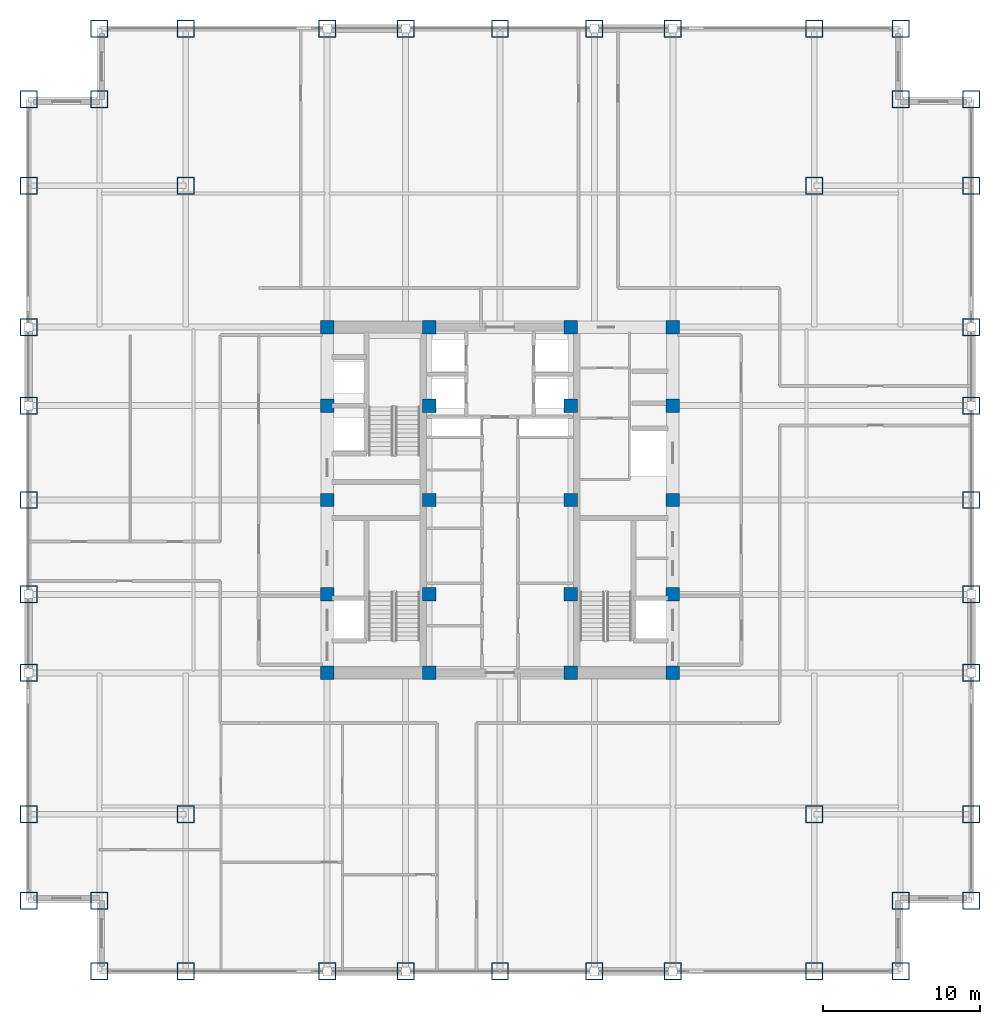
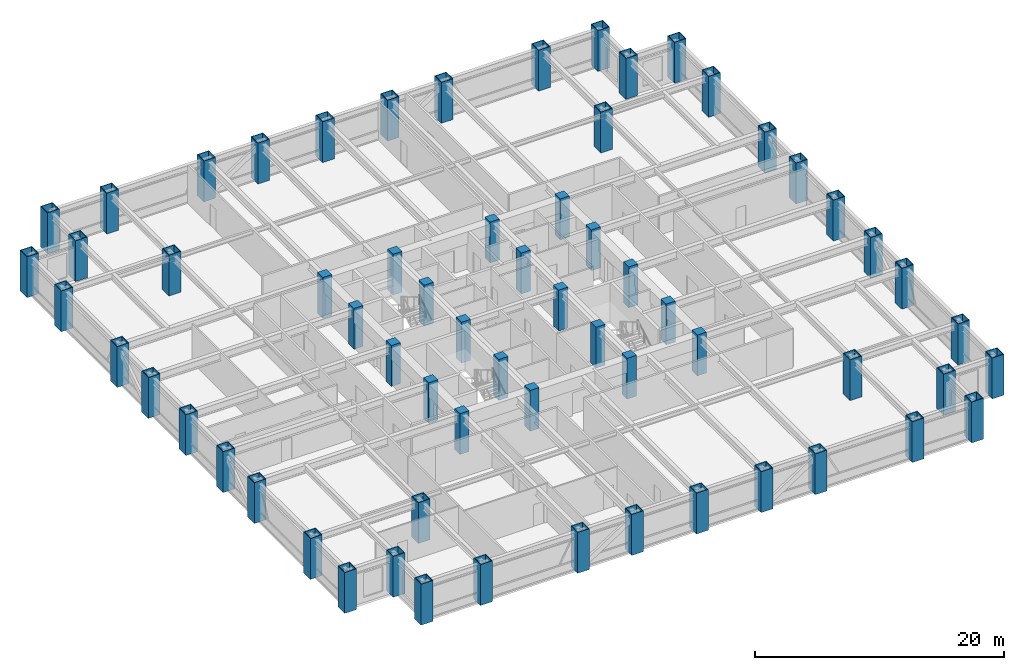
# One storey, part 1 of 24: 64 columns.
"""IFC4 building model written with IfcOpenShell, lengths in metres."""

from ifc_helpers import new_model, si_unit, direction, frame, origin, origin_2d, place, context, subcontext, project, spatial, rectangle, hollow_rectangle, extrude, source, transform, mapped, material, material_profile, profile_set, type_object, element, save


model = new_model("IFC4")

# Units and contexts
model_context = context("Model", 3, precision=1e-05, world=origin(), true_north=direction((0.0, 1.0)))
body_context = subcontext(model_context, "Body", "Model", "MODEL_VIEW")
ifc_project = project(units=[si_unit("LENGTHUNIT", "METRE"), si_unit("AREAUNIT", "SQUARE_METRE"), si_unit("VOLUMEUNIT", "CUBIC_METRE"), si_unit("PLANEANGLEUNIT", "RADIAN"), si_unit("MASSUNIT", "GRAM", prefix="KILO")], contexts=[model_context])

# Site, building, storey
site_placement = place(None, origin())
site = spatial("IfcSite", under=ifc_project, at=site_placement, CompositionType="ELEMENT")
building_placement = place(site_placement, origin())
building = spatial("IfcBuilding", under=site, at=building_placement, Name="Khorayat Bourse Tower", CompositionType="ELEMENT")
storey_placement = place(building_placement, frame((0.0, 0.0, 175.10009765625)))
storey = spatial("IfcBuildingStorey", under=building, at=storey_placement, Name="L40", CompositionType="ELEMENT", Elevation=175.10009765625)

# Columns
ifc_material_1 = material(Name="Steel EN 10025-4 S460M", Category="steel")
ifc_material_profile_1 = material_profile(ifc_material_1, hollow_rectangle(XDim=1.10009765625, YDim=1.10009765625, WallThickness=0.06005859375, at=origin_2d()), Name="BOX 1100x1100x60")
ifc_profile_set_1 = profile_set([ifc_material_profile_1], Name="Steel EN 10025-4 S460M")
column_type_1 = type_object("IfcColumnType", Name="COL-TUBE-1100", PredefinedType="COLUMN", material=ifc_profile_set_1)
shared_shape_1 = source(origin(), body_context, "Body", "SweptSolid", [
    extrude(hollow_rectangle(XDim=1.10009765625, YDim=1.10009765625, WallThickness=0.06005859375, at=origin_2d()), origin(), (0.0, 0.0, 1.0), 4.0),
])
for number, where, z_axis, x_axis, name in (
    (1, (-30.0, -25.5, 0.0), (0.0, 0.0, 1.0), (1.0, 0.0, 0.0), "L40 Column 001"),
    (2, (-30.0, -20.0, 0.0), (0.0, 0.0, 1.0), (1.0, 0.0, 0.0), "L40 Column 002"),
    (3, (-30.0, -11.0, 0.0), (0.0, 0.0, 1.0), (1.0, 0.0, 0.0), "L40 Column 003"),
    (4, (-30.0, -6.0, 0.0), (0.0, 0.0, 1.0), (1.0, 0.0, 0.0), "L40 Column 004"),
    (5, (-30.0, 0.0, 0.0), (0.0, 0.0, 1.0), (1.0, 0.0, 0.0), "L40 Column 005"),
    (6, (-30.0, 6.0, 0.0), (0.0, 0.0, 1.0), (1.0, 0.0, 0.0), "L40 Column 006"),
    (7, (-30.0, 11.0, 0.0), (0.0, 0.0, 1.0), (1.0, 0.0, 0.0), "L40 Column 007"),
    (8, (-30.0, 20.0, 0.0), (0.0, 0.0, 1.0), (1.0, 0.0, 0.0), "L40 Column 008"),
    (9, (-30.0, 25.5, 0.0), (0.0, 0.0, 1.0), (1.0, 0.0, 0.0), "L40 Column 009"),
    (10, (-25.5, -30.0, 0.0), (0.0, 0.0, 1.0), (1.0, 0.0, 0.0), "L40 Column 010"),
    (11, (-25.5, -25.5, 0.0), (0.0, 0.0, 1.0), (1.0, 0.0, 0.0), "L40 Column 011"),
    (12, (-25.5, 25.5, 0.0), (0.0, 0.0, 1.0), (1.0, 0.0, 0.0), "L40 Column 012"),
    (13, (-25.5, 30.0, 0.0), (0.0, 0.0, 1.0), (1.0, 0.0, 0.0), "L40 Column 013"),
    (14, (-20.0, -30.0, 0.0), (0.0, 0.0, 1.0), (1.0, 0.0, 0.0), "L40 Column 014"),
    (15, (-20.0, -20.0, 0.0), (0.0, 0.0, 1.0), (1.0, 0.0, 0.0), "L40 Column 015"),
    (16, (-20.0, 20.0, 0.0), (0.0, 0.0, 1.0), (1.0, 0.0, 0.0), "L40 Column 016"),
    (17, (-20.0, 30.0, 0.0), (0.0, 0.0, 1.0), (1.0, 0.0, 0.0), "L40 Column 017"),
    (18, (-11.0, -30.0, 0.0), (0.0, 0.0, 1.0), (1.0, 0.0, 0.0), "L40 Column 018"),
    (19, (-11.0, 30.0, 0.0), (0.0, 0.0, 1.0), (1.0, 0.0, 0.0), "L40 Column 024"),
    (20, (-6.0, -30.0, 0.0), (0.0, 0.0, 1.0), (1.0, 0.0, 0.0), "L40 Column 025"),
    (21, (-6.0, 30.0, 0.0), (0.0, 0.0, 1.0), (1.0, 0.0, 0.0), "L40 Column 026"),
    (22, (0.0, -30.0, 0.0), (0.0, 0.0, 1.0), (1.0, 0.0, 0.0), "L40 Column 032"),
    (23, (0.0, 30.0, 0.0), (0.0, 0.0, 1.0), (1.0, 0.0, 0.0), "L40 Column 033"),
    (24, (6.0, -30.0, 0.0), (0.0, 0.0, 1.0), (1.0, 0.0, 0.0), "L40 Column 039"),
    (25, (6.0, 30.0, 0.0), (0.0, 0.0, 1.0), (1.0, 0.0, 0.0), "L40 Column 040"),
    (26, (11.0, -30.0, 0.0), (0.0, 0.0, 1.0), (1.0, 0.0, 0.0), "L40 Column 041"),
    (27, (11.0, 30.0, 0.0), (0.0, 0.0, 1.0), (1.0, 0.0, 0.0), "L40 Column 047"),
    (28, (20.0, -30.0, 0.0), (0.0, 0.0, 1.0), (1.0, 0.0, 0.0), "L40 Column 048"),
    (29, (20.0, -20.0, 0.0), (0.0, 0.0, 1.0), (1.0, 0.0, 0.0), "L40 Column 049"),
    (30, (20.0, 20.0, 0.0), (0.0, 0.0, 1.0), (1.0, 0.0, 0.0), "L40 Column 050"),
    (31, (20.0, 30.0, 0.0), (0.0, 0.0, 1.0), (1.0, 0.0, 0.0), "L40 Column 051"),
    (32, (25.5, -30.0, 0.0), (0.0, 0.0, 1.0), (1.0, 0.0, 0.0), "L40 Column 052"),
    (33, (25.5, -25.5, 0.0), (0.0, 0.0, 1.0), (1.0, 0.0, 0.0), "L40 Column 053"),
    (34, (25.5, 25.5, 0.0), (0.0, 0.0, 1.0), (1.0, 0.0, 0.0), "L40 Column 054"),
    (35, (25.5, 30.0, 0.0), (0.0, 0.0, 1.0), (1.0, 0.0, 0.0), "L40 Column 055"),
    (36, (30.0, -25.5, 0.0), (0.0, 0.0, 1.0), (1.0, 0.0, 0.0), "L40 Column 056"),
    (37, (30.0, -20.0, 0.0), (0.0, 0.0, 1.0), (1.0, 0.0, 0.0), "L40 Column 057"),
    (38, (30.0, -11.0, 0.0), (0.0, 0.0, 1.0), (1.0, 0.0, 0.0), "L40 Column 058"),
    (39, (30.0, -6.0, 0.0), (0.0, 0.0, 1.0), (1.0, 0.0, 0.0), "L40 Column 059"),
    (40, (30.0, 0.0, 0.0), (0.0, 0.0, 1.0), (1.0, 0.0, 0.0), "L40 Column 060"),
    (41, (30.0, 6.0, 0.0), (0.0, 0.0, 1.0), (1.0, 0.0, 0.0), "L40 Column 061"),
    (42, (30.0, 11.0, 0.0), (0.0, 0.0, 1.0), (1.0, 0.0, 0.0), "L40 Column 062"),
    (43, (30.0, 20.0, 0.0), (0.0, 0.0, 1.0), (1.0, 0.0, 0.0), "L40 Column 063"),
    (44, (30.0, 25.5, 0.0), (0.0, 0.0, 1.0), (1.0, 0.0, 0.0), "L40 Column 064"),
):
    element("IfcColumn", number, at=place(storey_placement, frame(where, z_axis=z_axis, x_axis=x_axis)), inside=storey, type_object=column_type_1, Name=name, PredefinedType="COLUMN", context=body_context, shape_type="MappedRepresentation", body=[
        mapped(shared_shape_1, transform((0.0, 0.0, 0.0), scale=1.0)),
    ])
ifc_material_2 = material(Name="Concrete C60/75", Category="concrete")
ifc_material_profile_2 = material_profile(ifc_material_2, rectangle(XDim=0.85009765625, YDim=0.85009765625, at=origin_2d()), Name="RC 850x850")
ifc_profile_set_2 = profile_set([ifc_material_profile_2], Name="Concrete C60/75")
column_type_2 = type_object("IfcColumnType", Name="COL-CORE-850", PredefinedType="COLUMN", material=ifc_profile_set_2)
shared_shape_2 = source(origin(), body_context, "Body", "SweptSolid", [
    extrude(rectangle(XDim=0.85009765625, YDim=0.85009765625, at=origin_2d()), origin(), (0.0, 0.0, 1.0), 4.0),
])
for number, where, z_axis, x_axis, name in (
    (45, (-11.0, -11.0, 0.0), (0.0, 0.0, 1.0), (1.0, 0.0, 0.0), "L40 Column 019"),
    (46, (-11.0, -6.0, 0.0), (0.0, 0.0, 1.0), (1.0, 0.0, 0.0), "L40 Column 020"),
    (47, (-11.0, 0.0, 0.0), (0.0, 0.0, 1.0), (1.0, 0.0, 0.0), "L40 Column 021"),
    (48, (-11.0, 6.0, 0.0), (0.0, 0.0, 1.0), (1.0, 0.0, 0.0), "L40 Column 022"),
    (49, (-11.0, 11.0, 0.0), (0.0, 0.0, 1.0), (1.0, 0.0, 0.0), "L40 Column 023"),
    (50, (-4.5, -11.0, 0.0), (0.0, 0.0, 1.0), (1.0, 0.0, 0.0), "L40 Column 027"),
    (51, (-4.5, -6.0, 0.0), (0.0, 0.0, 1.0), (1.0, 0.0, 0.0), "L40 Column 028"),
    (52, (-4.5, 0.0, 0.0), (0.0, 0.0, 1.0), (1.0, 0.0, 0.0), "L40 Column 029"),
    (53, (-4.5, 6.0, 0.0), (0.0, 0.0, 1.0), (1.0, 0.0, 0.0), "L40 Column 030"),
    (54, (-4.5, 11.0, 0.0), (0.0, 0.0, 1.0), (1.0, 0.0, 0.0), "L40 Column 031"),
    (55, (4.5, -11.0, 0.0), (0.0, 0.0, 1.0), (1.0, 0.0, 0.0), "L40 Column 034"),
    (56, (4.5, -6.0, 0.0), (0.0, 0.0, 1.0), (1.0, 0.0, 0.0), "L40 Column 035"),
    (57, (4.5, 0.0, 0.0), (0.0, 0.0, 1.0), (1.0, 0.0, 0.0), "L40 Column 036"),
    (58, (4.5, 6.0, 0.0), (0.0, 0.0, 1.0), (1.0, 0.0, 0.0), "L40 Column 037"),
    (59, (4.5, 11.0, 0.0), (0.0, 0.0, 1.0), (1.0, 0.0, 0.0), "L40 Column 038"),
    (60, (11.0, -11.0, 0.0), (0.0, 0.0, 1.0), (1.0, 0.0, 0.0), "L40 Column 042"),
    (61, (11.0, -6.0, 0.0), (0.0, 0.0, 1.0), (1.0, 0.0, 0.0), "L40 Column 043"),
    (62, (11.0, 0.0, 0.0), (0.0, 0.0, 1.0), (1.0, 0.0, 0.0), "L40 Column 044"),
    (63, (11.0, 6.0, 0.0), (0.0, 0.0, 1.0), (1.0, 0.0, 0.0), "L40 Column 045"),
    (64, (11.0, 11.0, 0.0), (0.0, 0.0, 1.0), (1.0, 0.0, 0.0), "L40 Column 046"),
):
    element("IfcColumn", number, at=place(storey_placement, frame(where, z_axis=z_axis, x_axis=x_axis)), inside=storey, type_object=column_type_2, Name=name, PredefinedType="COLUMN", context=body_context, shape_type="MappedRepresentation", body=[
        mapped(shared_shape_2, transform((0.0, 0.0, 0.0), scale=1.0)),
    ])

save(model, "model.ifc")
